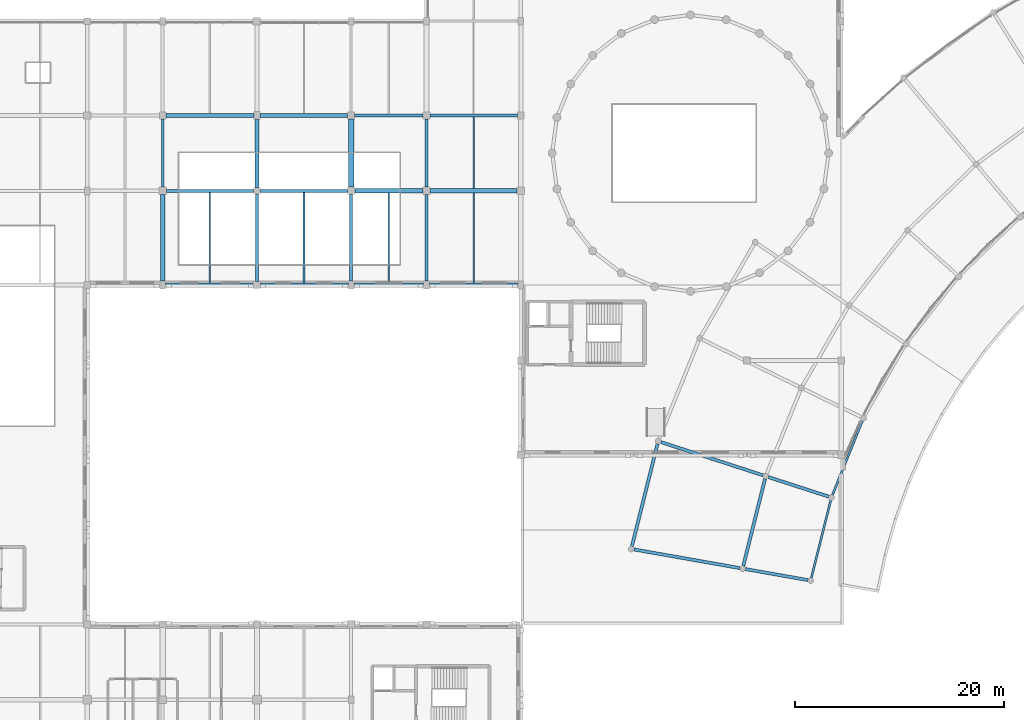
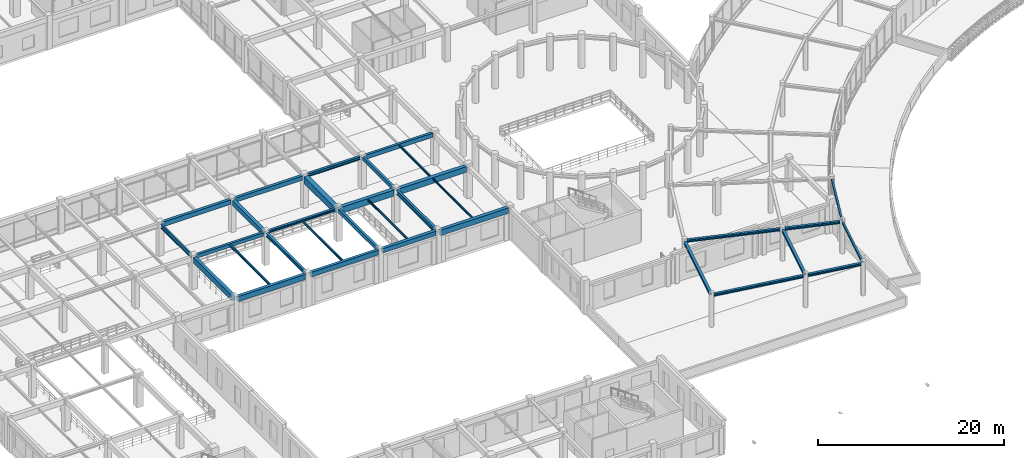
# One storey, part 5 of 62: 33 beams.
"""IFC4 building model written with IfcOpenShell, lengths in metres."""

import ifcopenshell
import ifcopenshell.guid

model = None  # the IFC model being written
_history = None  # IfcOwnerHistory: only IFC2X3 demands one
_inside = {}  # id of a spatial element -> (the spatial element, [elements in it])
_under = {}  # id of a project, library or spatial element -> (it, [spatial elements below it])
_declared = {}  # id of a project -> (the project, [libraries it declares])
_typed = {}  # id of a type object -> (the type object, [elements of that type])
_made_of = {}  # id of a material, layer set ... -> (it, [elements and type objects made of it])


def new_model(schema):
    """Start an empty IFC model of exactly this schema.

    Asked for "IFC4X3", IfcOpenShell would pick the latest addendum, in which some entities
    have other attributes; the version numbers below select the first issue.
    IFC2X3 requires an IfcOwnerHistory on every rooted entity: one is made here for all.
    """
    global model, _history
    if schema == "IFC4X3":
        model = ifcopenshell.file(schema_version=(4, 3, 0, 0))
    else:
        model = ifcopenshell.file(schema=schema)
    _inside.clear()
    _under.clear()
    _declared.clear()
    _typed.clear()
    _made_of.clear()
    _history = None
    if model.schema == "IFC2X3":
        org = make("IfcOrganization", Name="unknown")
        user = make(
            "IfcPersonAndOrganization",
            ThePerson=make("IfcPerson", FamilyName="unknown"),
            TheOrganization=org,
        )
        app = make(
            "IfcApplication",
            ApplicationDeveloper=org,
            Version="unknown",
            ApplicationFullName="unknown",
            ApplicationIdentifier="unknown",
        )
        _history = make(
            "IfcOwnerHistory",
            OwningUser=user,
            OwningApplication=app,
            ChangeAction="ADDED",
            CreationDate=0,
        )
    return model


def make(cls, **values):
    """One entity of the class cls with the attributes given. An attribute that is None is left unset."""
    return model.create_entity(
        cls, **{name: value for name, value in values.items() if value is not None}
    )


def rooted(cls, **values):
    """An entity with a GlobalId (a new one), such as an element, a storey or a relation."""
    return make(cls, GlobalId=ifcopenshell.guid.new(), OwnerHistory=_history, **values)


def si_unit(unit_type, name, prefix=None):
    """IfcSIUnit, for example si_unit("LENGTHUNIT", "METRE", prefix="MILLI")."""
    return make("IfcSIUnit", UnitType=unit_type, Prefix=prefix, Name=name)


def assignment(units):
    """IfcUnitAssignment: the units of a project."""
    return None if units is None else make("IfcUnitAssignment", Units=units)


def point(xyz):
    """IfcCartesianPoint."""
    return None if xyz is None else make("IfcCartesianPoint", Coordinates=xyz)


def direction(xyz):
    """IfcDirection."""
    return None if xyz is None else make("IfcDirection", DirectionRatios=xyz)


def frame(location, z_axis=None, x_axis=None):
    """IfcAxis2Placement3D, a coordinate frame: its origin and axes. An axis left out is left unset."""
    return make(
        "IfcAxis2Placement3D",
        Location=point(location),
        Axis=direction(z_axis),
        RefDirection=direction(x_axis),
    )


def frame_2d(location, x_axis=None):
    """IfcAxis2Placement2D, a coordinate frame in the plane: its origin and x axis."""
    return make(
        "IfcAxis2Placement2D", Location=point(location), RefDirection=direction(x_axis)
    )


def origin():
    """The frame at (0, 0, 0) with its axes left unset."""
    return frame((0.0, 0.0, 0.0))


def origin_2d():
    """The frame at (0, 0) in the plane with its x axis left unset."""
    return frame_2d((0.0, 0.0))


def place(relative_to, where):
    """IfcLocalPlacement: puts the frame where relative to a parent placement (None: the world)."""
    return make(
        "IfcLocalPlacement", PlacementRelTo=relative_to, RelativePlacement=where
    )


def context(
    kind, dimensions, precision=None, world=None, true_north=None, identifier=None
):
    """IfcGeometricRepresentationContext, for example the 3D "Model" context."""
    return make(
        "IfcGeometricRepresentationContext",
        ContextIdentifier=identifier,
        ContextType=kind,
        CoordinateSpaceDimension=dimensions,
        Precision=precision,
        WorldCoordinateSystem=world,
        TrueNorth=true_north,
    )


def subcontext(parent, identifier, kind, view, scale=None):
    """IfcGeometricRepresentationSubContext, for example "Body" below "Model"."""
    return make(
        "IfcGeometricRepresentationSubContext",
        ContextIdentifier=identifier,
        ContextType=kind,
        ParentContext=parent,
        TargetScale=scale,
        TargetView=view,
    )


def project(units=None, contexts=None):
    """IfcProject with its units and contexts."""
    return rooted(
        "IfcProject",
        Name="project",
        RepresentationContexts=contexts,
        UnitsInContext=assignment(units),
    )


def spatial(cls, under=None, at=None, **own):
    """A site, building, storey or space (cls), placed at a placement, below another one or the project."""
    s = rooted(cls, ObjectPlacement=at, **own)
    if under is not None:
        _under.setdefault(under.id(), (under, []))[1].append(s)
    return s


def profile(cls, at=None, kind="AREA", **sizes):
    """A parametric profile (cls). Its sizes go by their IFC names, for example OverallWidth=200.0."""
    return make(cls, ProfileType=kind, Position=at, **sizes)


def rectangle(**sizes):
    """IfcRectangleProfileDef."""
    return profile("IfcRectangleProfileDef", **sizes)


def hollow_rectangle(**sizes):
    """IfcRectangleHollowProfileDef."""
    return profile("IfcRectangleHollowProfileDef", **sizes)


def i_section(**sizes):
    """IfcIShapeProfileDef."""
    return profile("IfcIShapeProfileDef", **sizes)


def extrude(swept, where, along, depth):
    """IfcExtrudedAreaSolid: the profile swept, set in the frame where, extruded along a direction by depth."""
    return make(
        "IfcExtrudedAreaSolid",
        SweptArea=swept,
        Position=where,
        ExtrudedDirection=direction(along),
        Depth=depth,
    )


def shape(context_of_items, identifier, shape_type, items):
    """IfcShapeRepresentation: the items that make up one representation, for example the "Body"."""
    return make(
        "IfcShapeRepresentation",
        ContextOfItems=context_of_items,
        RepresentationIdentifier=identifier,
        RepresentationType=shape_type,
        Items=items,
    )


def material(Name=None, Category=None):
    """IfcMaterial."""
    return make("IfcMaterial", Name=Name, Category=Category)


def material_profile(
    of_material, cross_section, Name=None, Category=None, Priority=None
):
    """IfcMaterialProfile: a cross section and its material."""
    return make(
        "IfcMaterialProfile",
        Name=Name,
        Material=of_material,
        Profile=cross_section,
        Priority=Priority,
        Category=Category,
    )


def profile_set(profiles, Name=None, composite=None):
    """IfcMaterialProfileSet."""
    return make(
        "IfcMaterialProfileSet",
        Name=Name,
        MaterialProfiles=profiles,
        CompositeProfile=composite,
    )


def made_of(thing, what):
    """Note that an element or type object is made of a material, layer set ...; save() writes the relation."""
    if what is not None:
        _made_of.setdefault(what.id(), (what, []))[1].append(thing)
    return thing


def type_object(cls, material=None, **own):
    """A type object (cls), such as IfcWallType, which elements share."""
    return made_of(rooted(cls, **own), material)


def element(
    cls,
    number,
    at=None,
    inside=None,
    cuts=None,
    type_object=None,
    material=None,
    context=None,
    identifier="Body",
    shape_type=None,
    held_by="IfcProductDefinitionShape",
    body=None,
    shapes=None,
    **own,
):
    """One element of the class cls, such as IfcWall. Its Tag is "e" and its number.

    at: its placement. inside: the storey or other place that contains it. cuts: it is an
    opening in that element (IfcRelVoidsElement). A single representation is given by context,
    identifier, shape_type and body (its items); several are given by shapes. held_by: the class
    of the entity that holds the representations. save() writes the other relations.
    """
    e = rooted(cls, Tag="e%d" % number, ObjectPlacement=at, **own)
    if body is not None:
        shapes = [shape(context, identifier, shape_type, body)]
    if shapes is not None:
        e.Representation = make(held_by, Representations=shapes)
    if inside is not None:
        _inside.setdefault(inside.id(), (inside, []))[1].append(e)
    if cuts is not None:
        rooted(
            "IfcRelVoidsElement", RelatingBuildingElement=cuts, RelatedOpeningElement=e
        )
    if type_object is not None:
        _typed.setdefault(type_object.id(), (type_object, []))[1].append(e)
    return made_of(e, material)


def aggregate(whole, parts):
    """IfcRelAggregates: a whole, such as a stair, and the parts it consists of."""
    return rooted("IfcRelAggregates", RelatingObject=whole, RelatedObjects=parts)


def save(model, path):
    """Write the relations noted so far, then the file.

    IfcRelAggregates (storeys below a building ...), IfcRelContainedInSpatialStructure (elements
    in a storey), IfcRelDefinesByType, IfcRelAssociatesMaterial and IfcRelDeclares: one each for
    every whole, place, type object, material and project.
    """
    for whole, parts in _under.values():
        aggregate(whole, parts)
    for where, things in _inside.values():
        rooted(
            "IfcRelContainedInSpatialStructure",
            RelatedElements=things,
            RelatingStructure=where,
        )
    for kind, things in _typed.values():
        rooted("IfcRelDefinesByType", RelatedObjects=things, RelatingType=kind)
    for what, things in _made_of.values():
        rooted("IfcRelAssociatesMaterial", RelatedObjects=things, RelatingMaterial=what)
    for by, libraries in _declared.values():
        rooted("IfcRelDeclares", RelatingContext=by, RelatedDefinitions=libraries)
    model.write(path)


model = new_model("IFC4")

# Units and contexts
model_context = context("Model", 3, precision=1e-05, world=origin(), true_north=direction((0.0, 1.0)))
body_context = subcontext(model_context, "Body", "Model", "MODEL_VIEW")
ifc_project = project(units=[si_unit("LENGTHUNIT", "METRE"), si_unit("AREAUNIT", "SQUARE_METRE"), si_unit("VOLUMEUNIT", "CUBIC_METRE"), si_unit("PLANEANGLEUNIT", "RADIAN"), si_unit("MASSUNIT", "GRAM", prefix="KILO")], contexts=[model_context])

# Site, building, storey
site_placement = place(None, origin())
site = spatial("IfcSite", under=ifc_project, at=site_placement, CompositionType="ELEMENT")
building_placement = place(site_placement, origin())
building = spatial("IfcBuilding", under=site, at=building_placement, Name="Clarverna Civic Hall", CompositionType="ELEMENT")
storey_placement = place(building_placement, frame((0.0, 0.0, 5.10009765625)))
storey = spatial("IfcBuildingStorey", under=building, at=storey_placement, Name="L01", CompositionType="ELEMENT", Elevation=5.10009765625)

# Beams
ifc_material_1 = material(Name="Concrete C35/45", Category="concrete")
ifc_material_profile_1 = material_profile(ifc_material_1, rectangle(XDim=0.300048828125, YDim=0.550048828125, at=origin_2d()), Name="RC 300x550")
ifc_profile_set_1 = profile_set([ifc_material_profile_1], Name="Concrete C35/45")
beam_type_1 = type_object("IfcBeamType", Name="B-RC11", PredefinedType="BEAM", material=ifc_profile_set_1)
beam_1_placement = place(storey_placement, frame((57.925048828125, 62.60009765625, 3.90478515625), z_axis=(1.0, 0.0, 0.0), x_axis=(0.0, 1.0, 0.0)))
element("IfcBeam", 1, at=beam_1_placement, inside=storey, type_object=beam_type_1, Name="B-RC11-023", PredefinedType="BEAM", context=body_context, shape_type="SweptSolid", body=[
    extrude(rectangle(XDim=0.300048828125, YDim=0.550048828125, at=origin_2d()), origin(), (0.0, 0.0, 1.0), 8.349853515625),
])
ifc_material_profile_2 = material_profile(ifc_material_1, rectangle(XDim=0.300048828125, YDim=0.5, at=origin_2d()), Name="RC 300x500")
ifc_profile_set_2 = profile_set([ifc_material_profile_2], Name="Concrete C35/45")
beam_type_2 = type_object("IfcBeamType", Name="B-RC12", PredefinedType="BEAM", material=ifc_profile_set_2)
beam_2_placement = place(storey_placement, frame((50.39990234375, 46.77490234375, 4.010009765625), z_axis=(0.0, 1.0, 0.0), x_axis=(-1.0, 0.0, 0.0)))
element("IfcBeam", 2, at=beam_2_placement, inside=storey, type_object=beam_type_2, Name="B-RC12-035", PredefinedType="BEAM", context=body_context, shape_type="SweptSolid", body=[
    extrude(rectangle(XDim=0.300048828125, YDim=0.5, at=origin_2d()), origin(), (0.0, 0.0, 1.0), 8.275146484375),
])
ifc_material_profile_3 = material_profile(ifc_material_1, rectangle(XDim=0.550048828125, YDim=0.89990234375, at=origin_2d()), Name="RC 550x900")
ifc_profile_set_3 = profile_set([ifc_material_profile_3], Name="Concrete C35/45")
beam_type_3 = type_object("IfcBeamType", Name="B-RC13", PredefinedType="BEAM", material=ifc_profile_set_3)
beam_3_placement = place(storey_placement, frame((50.39990234375, 55.75, 3.77001953125), z_axis=(0.0, 1.0, 0.0), x_axis=(-1.0, 0.0, 0.0)))
element("IfcBeam", 3, at=beam_3_placement, inside=storey, type_object=beam_type_3, Name="B-RC13-024", PredefinedType="BEAM", context=body_context, shape_type="SweptSolid", body=[
    extrude(rectangle(XDim=0.550048828125, YDim=0.89990234375, at=origin_2d()), origin(), (0.0, 0.0, 1.0), 6.52490234375),
])
ifc_material_profile_4 = material_profile(ifc_material_1, rectangle(XDim=0.39990234375, YDim=0.75, at=origin_2d()), Name="RC 400x750")
ifc_profile_set_4 = profile_set([ifc_material_profile_4], Name="Concrete C35/45")
beam_type_4 = type_object("IfcBeamType", Name="B-RC16", PredefinedType="BEAM", material=ifc_profile_set_4)
beam_4_placement = place(storey_placement, frame((32.39990234375, 46.77490234375, 3.885009765625), z_axis=(0.0, 1.0, 0.0), x_axis=(-1.0, 0.0, 0.0)))
element("IfcBeam", 4, at=beam_4_placement, inside=storey, type_object=beam_type_4, Name="B-RC16-022", PredefinedType="BEAM", context=body_context, shape_type="SweptSolid", body=[
    extrude(rectangle(XDim=0.39990234375, YDim=0.75, at=origin_2d()), origin(), (0.0, 0.0, 1.0), 8.275146484375),
])
ifc_material_profile_5 = material_profile(ifc_material_1, rectangle(XDim=0.300048828125, YDim=0.449951171875, at=origin_2d()), Name="RC 300x450")
ifc_profile_set_5 = profile_set([ifc_material_profile_5], Name="Concrete C35/45")
beam_type_5 = type_object("IfcBeamType", Name="B-RC18", PredefinedType="BEAM", material=ifc_profile_set_5)
beam_5_placement = place(storey_placement, frame((32.75, 55.39990234375, 4.034912109375), z_axis=(1.0, 0.0, 0.0), x_axis=(0.0, 1.0, 0.0)))
element("IfcBeam", 5, at=beam_5_placement, inside=storey, type_object=beam_type_5, Name="B-RC18-023", PredefinedType="BEAM", context=body_context, shape_type="SweptSolid", body=[
    extrude(rectangle(XDim=0.300048828125, YDim=0.449951171875, at=origin_2d()), origin(), (0.0, 0.0, 1.0), 8.324951171875),
])
beam_6_placement = place(storey_placement, frame((57.60009765625, 55.75, 3.994873046875), z_axis=(0.0, 1.0, 0.0), x_axis=(-1.0, 0.0, 0.0)))
element("IfcBeam", 6, at=beam_6_placement, inside=storey, type_object=beam_type_5, Name="B-RC18-029", PredefinedType="BEAM", context=body_context, shape_type="SweptSolid", body=[
    extrude(rectangle(XDim=0.300048828125, YDim=0.449951171875, at=origin_2d()), origin(), (0.0, 0.0, 1.0), 6.52490234375),
])
ifc_material_profile_6 = material_profile(ifc_material_1, rectangle(XDim=0.449951171875, YDim=0.800048828125, at=origin_2d()), Name="RC 450x800")
ifc_profile_set_6 = profile_set([ifc_material_profile_6], Name="Concrete C35/45")
beam_type_6 = type_object("IfcBeamType", Name="B-RC2", PredefinedType="BEAM", material=ifc_profile_set_6)
beam_7_placement = place(storey_placement, frame((50.75, 55.39990234375, 3.85986328125), z_axis=(1.0, 0.0, 0.0), x_axis=(0.0, 1.0, 0.0)))
element("IfcBeam", 7, at=beam_7_placement, inside=storey, type_object=beam_type_6, Name="B-RC2-019", PredefinedType="BEAM", context=body_context, shape_type="SweptSolid", body=[
    extrude(rectangle(XDim=0.449951171875, YDim=0.800048828125, at=origin_2d()), origin(), (0.0, 0.0, 1.0), 6.5),
])
ifc_material_profile_7 = material_profile(ifc_material_1, rectangle(XDim=0.449951171875, YDim=0.75, at=origin_2d()), Name="RC 450x750")
ifc_profile_set_7 = profile_set([ifc_material_profile_7], Name="Concrete C35/45")
beam_type_7 = type_object("IfcBeamType", Name="B-RC3", PredefinedType="BEAM", material=ifc_profile_set_7)
beam_8_placement = place(storey_placement, frame((57.949951171875, 55.39990234375, 3.804931640625), z_axis=(1.0, 0.0, 0.0), x_axis=(0.0, 1.0, 0.0)))
element("IfcBeam", 8, at=beam_8_placement, inside=storey, type_object=beam_type_7, Name="B-RC3-022", PredefinedType="BEAM", context=body_context, shape_type="SweptSolid", body=[
    extrude(rectangle(XDim=0.449951171875, YDim=0.75, at=origin_2d()), origin(), (0.0, 0.0, 1.0), 8.300048828125),
])
ifc_material_profile_8 = material_profile(ifc_material_1, rectangle(XDim=0.39990234375, YDim=0.64990234375, at=origin_2d()), Name="RC 400x650")
ifc_profile_set_8 = profile_set([ifc_material_profile_8], Name="Concrete C35/45")
beam_type_8 = type_object("IfcBeamType", Name="B-RC6", PredefinedType="BEAM", material=ifc_profile_set_8)
beam_9_placement = place(storey_placement, frame((41.39990234375, 55.72509765625, 3.89501953125), z_axis=(0.0, 1.0, 0.0), x_axis=(-1.0, 0.0, 0.0)))
element("IfcBeam", 9, at=beam_9_placement, inside=storey, type_object=beam_type_8, Name="B-RC6-032", PredefinedType="BEAM", context=body_context, shape_type="SweptSolid", body=[
    extrude(rectangle(XDim=0.39990234375, YDim=0.64990234375, at=origin_2d()), origin(), (0.0, 0.0, 1.0), 6.5),
])
ifc_material_profile_9 = material_profile(ifc_material_1, rectangle(XDim=0.35009765625, YDim=0.60009765625, at=origin_2d()), Name="RC 350x600")
ifc_profile_set_9 = profile_set([ifc_material_profile_9], Name="Concrete C35/45")
beam_type_9 = type_object("IfcBeamType", Name="B-RC8", PredefinedType="BEAM", material=ifc_profile_set_9)
beam_10_placement = place(storey_placement, frame((32.72509765625, 62.60009765625, 3.919921875), z_axis=(1.0, 0.0, 0.0), x_axis=(0.0, 1.0, 0.0)))
element("IfcBeam", 10, at=beam_10_placement, inside=storey, type_object=beam_type_9, Name="B-RC8-022", PredefinedType="BEAM", context=body_context, shape_type="SweptSolid", body=[
    extrude(rectangle(XDim=0.35009765625, YDim=0.60009765625, at=origin_2d()), origin(), (0.0, 0.0, 1.0), 8.39990234375),
])
ifc_material_profile_10 = material_profile(ifc_material_1, rectangle(XDim=0.35009765625, YDim=0.550048828125, at=origin_2d()), Name="RC 350x550")
ifc_profile_set_10 = profile_set([ifc_material_profile_10], Name="Concrete C35/45")
beam_type_10 = type_object("IfcBeamType", Name="B-RC9", PredefinedType="BEAM", material=ifc_profile_set_10)
beam_11_placement = place(storey_placement, frame((41.675048828125, 62.60009765625, 3.94482421875), z_axis=(1.0, 0.0, 0.0), x_axis=(0.0, 1.0, 0.0)))
element("IfcBeam", 11, at=beam_11_placement, inside=storey, type_object=beam_type_10, Name="B-RC9-025", PredefinedType="BEAM", context=body_context, shape_type="SweptSolid", body=[
    extrude(rectangle(XDim=0.35009765625, YDim=0.550048828125, at=origin_2d()), origin(), (0.0, 0.0, 1.0), 8.39990234375),
])
ifc_material_profile_11 = material_profile(ifc_material_1, rectangle(XDim=0.419921875, YDim=0.719970703125, at=origin_2d()), Name="RC 420x720")
ifc_profile_set_11 = profile_set([ifc_material_profile_11], Name="Concrete C35/45")
beam_type_11 = type_object("IfcBeamType", Name="B-SP1", PredefinedType="SPANDREL", material=ifc_profile_set_11)
beam_12_placement = place(storey_placement, frame((57.875, 46.39990234375, 3.81982421875), z_axis=(1.0, 0.0, 0.0), x_axis=(0.0, 1.0, 0.0)))
element("IfcBeam", 12, at=beam_12_placement, inside=storey, type_object=beam_type_11, Name="B-SP1-061", PredefinedType="SPANDREL", context=body_context, shape_type="SweptSolid", body=[
    extrude(rectangle(XDim=0.419921875, YDim=0.719970703125, at=origin_2d()), origin(), (0.0, 0.0, 1.0), 8.449951171875),
])
ifc_material_profile_12 = material_profile(ifc_material_1, rectangle(XDim=0.3798828125, YDim=0.679931640625, at=origin_2d()), Name="RC 380x680")
ifc_profile_set_12 = profile_set([ifc_material_profile_12], Name="Concrete C35/45")
beam_type_12 = type_object("IfcBeamType", Name="B-SP2", PredefinedType="SPANDREL", material=ifc_profile_set_12)
beam_13_placement = place(storey_placement, frame((32.675048828125, 46.39990234375, 3.919921875), z_axis=(1.0, 0.0, 0.0), x_axis=(0.0, 1.0, 0.0)))
element("IfcBeam", 13, at=beam_13_placement, inside=storey, type_object=beam_type_12, Name="B-SP2-059", PredefinedType="SPANDREL", context=body_context, shape_type="SweptSolid", body=[
    extrude(rectangle(XDim=0.3798828125, YDim=0.679931640625, at=origin_2d()), origin(), (0.0, 0.0, 1.0), 8.375),
])
ifc_material_profile_13 = material_profile(ifc_material_1, rectangle(XDim=0.360107421875, YDim=0.6201171875, at=origin_2d()), Name="RC 360x620")
ifc_profile_set_13 = profile_set([ifc_material_profile_13], Name="Concrete C35/45")
beam_type_13 = type_object("IfcBeamType", Name="B-SP3", PredefinedType="SPANDREL", material=ifc_profile_set_13)
beam_14_placement = place(storey_placement, frame((41.75, 46.39990234375, 3.949951171875), z_axis=(1.0, 0.0, 0.0), x_axis=(0.0, 1.0, 0.0)))
element("IfcBeam", 14, at=beam_14_placement, inside=storey, type_object=beam_type_13, Name="B-SP3-060", PredefinedType="SPANDREL", context=body_context, shape_type="SweptSolid", body=[
    extrude(rectangle(XDim=0.360107421875, YDim=0.6201171875, at=origin_2d()), origin(), (0.0, 0.0, 1.0), 8.375),
])
ifc_material_profile_14 = material_profile(ifc_material_1, rectangle(XDim=0.39990234375, YDim=0.56005859375, at=origin_2d()), Name="RC 400x560")
ifc_profile_set_14 = profile_set([ifc_material_profile_14], Name="Concrete C35/45")
beam_type_14 = type_object("IfcBeamType", Name="B-SP4", PredefinedType="SPANDREL", material=ifc_profile_set_14)
beam_15_placement = place(storey_placement, frame((50.675048828125, 46.39990234375, 3.97998046875), z_axis=(1.0, 0.0, 0.0), x_axis=(0.0, 1.0, 0.0)))
element("IfcBeam", 15, at=beam_15_placement, inside=storey, type_object=beam_type_14, Name="B-SP4-056", PredefinedType="SPANDREL", context=body_context, shape_type="SweptSolid", body=[
    extrude(rectangle(XDim=0.39990234375, YDim=0.56005859375, at=origin_2d()), origin(), (0.0, 0.0, 1.0), 6.64990234375),
])
ifc_material_2 = material(Name="Steel S355", Category="steel")
ifc_material_profile_15 = material_profile(ifc_material_2, i_section(OverallWidth=0.300048828125, OverallDepth=0.60009765625, WebThickness=0.015380859375, FlangeThickness=0.030029296875, FilletRadius=0.027099609375, at=origin_2d()), Name="HEB 600")
ifc_profile_set_15 = profile_set([ifc_material_profile_15], Name="Steel S355")
beam_type_15 = type_object("IfcBeamType", Name="B-ST1", PredefinedType="BEAM", material=ifc_profile_set_15)
beam_16_placement = place(storey_placement, frame((57.60009765625, 46.77490234375, 3.9599609375), z_axis=(0.0, 1.0, 0.0), x_axis=(-1.0, 0.0, 0.0)))
element("IfcBeam", 16, at=beam_16_placement, inside=storey, type_object=beam_type_15, Name="B-ST1-008", PredefinedType="BEAM", context=body_context, shape_type="SweptSolid", body=[
    extrude(i_section(OverallWidth=0.300048828125, OverallDepth=0.60009765625, WebThickness=0.015380859375, FlangeThickness=0.030029296875, FilletRadius=0.027099609375, at=origin_2d()), origin(), (0.0, 0.0, 1.0), 8.275146484375),
])
ifc_material_profile_16 = material_profile(ifc_material_2, i_section(OverallWidth=0.2099609375, OverallDepth=0.550048828125, WebThickness=0.010986328125, FlangeThickness=0.01708984375, FilletRadius=0.02392578125, at=origin_2d()), Name="IPE 550")
ifc_profile_set_16 = profile_set([ifc_material_profile_16], Name="Steel S355")
beam_type_16 = type_object("IfcBeamType", Name="B-ST11", PredefinedType="BEAM", material=ifc_profile_set_16)
beam_17_placement = place(storey_placement, frame((32.39990234375, 55.75, 3.94482421875), z_axis=(0.0, 1.0, 0.0), x_axis=(-1.0, 0.0, 0.0)))
element("IfcBeam", 17, at=beam_17_placement, inside=storey, type_object=beam_type_16, Name="B-ST11-008", PredefinedType="BEAM", context=body_context, shape_type="SweptSolid", body=[
    extrude(i_section(OverallWidth=0.2099609375, OverallDepth=0.550048828125, WebThickness=0.010986328125, FlangeThickness=0.01708984375, FilletRadius=0.02392578125, at=origin_2d()), origin(), (0.0, 0.0, 1.0), 6.52490234375),
])
ifc_material_profile_17 = material_profile(ifc_material_2, hollow_rectangle(XDim=0.199951171875, YDim=0.300048828125, WallThickness=0.010009765625, at=origin_2d()), Name="RHS 300x200x10.0")
ifc_profile_set_17 = profile_set([ifc_material_profile_17], Name="Steel S355")
beam_type_17 = type_object("IfcBeamType", Name="B-ST15", PredefinedType="SPANDREL", material=ifc_profile_set_17)
for number, where, z_axis, x_axis, name in (
    (18, (99.2333984375, 33.447509765625, 4.06982421875), (-0.374627032937, -0.927175596202, 0.0), (0.927175596202, -0.374627032937, 0.0), "B-ST15-017"),
    (19, (96.205078125, 25.856201171875, 4.06982421875), (-0.241890255564, -0.970303614475, 0.0), (0.970303614475, -0.241890255564, 0.0), "B-ST15-018"),
):
    element("IfcBeam", number, at=place(storey_placement, frame(where, z_axis=z_axis, x_axis=x_axis)), inside=storey, type_object=beam_type_17, Name=name, PredefinedType="SPANDREL", context=body_context, shape_type="SweptSolid", body=[
        extrude(hollow_rectangle(XDim=0.199951171875, YDim=0.300048828125, WallThickness=0.010009765625, at=origin_2d()), origin(), (0.0, 0.0, 1.0), 7.655517578125),
    ])
ifc_material_profile_18 = material_profile(ifc_material_2, i_section(OverallWidth=0.300048828125, OverallDepth=0.449951171875, WebThickness=0.013916015625, FlangeThickness=0.02587890625, FilletRadius=0.027099609375, at=origin_2d()), Name="HEB 450")
ifc_profile_set_18 = profile_set([ifc_material_profile_18], Name="Steel S355")
beam_type_18 = type_object("IfcBeamType", Name="B-ST3", PredefinedType="BEAM", material=ifc_profile_set_18)
beam_18_placement = place(storey_placement, frame((41.39990234375, 46.75, 4.034912109375), z_axis=(0.0, 1.0, 0.0), x_axis=(-1.0, 0.0, 0.0)))
element("IfcBeam", 20, at=beam_18_placement, inside=storey, type_object=beam_type_18, Name="B-ST3-006", PredefinedType="BEAM", context=body_context, shape_type="SweptSolid", body=[
    extrude(i_section(OverallWidth=0.300048828125, OverallDepth=0.449951171875, WebThickness=0.013916015625, FlangeThickness=0.02587890625, FilletRadius=0.027099609375, at=origin_2d()), origin(), (0.0, 0.0, 1.0), 8.324951171875),
])
ifc_material_profile_19 = material_profile(ifc_material_2, i_section(OverallWidth=0.300048828125, OverallDepth=0.39990234375, WebThickness=0.013427734375, FlangeThickness=0.02392578125, FilletRadius=0.027099609375, at=origin_2d()), Name="HEB 400")
ifc_profile_set_19 = profile_set([ifc_material_profile_19], Name="Steel S355")
beam_type_19 = type_object("IfcBeamType", Name="B-ST4", PredefinedType="BEAM", material=ifc_profile_set_19)
beam_19_placement = place(storey_placement, frame((50.72509765625, 62.60009765625, 4.02001953125), z_axis=(1.0, 0.0, 0.0), x_axis=(0.0, 1.0, 0.0)))
element("IfcBeam", 21, at=beam_19_placement, inside=storey, type_object=beam_type_19, Name="B-ST4-006", PredefinedType="BEAM", context=body_context, shape_type="SweptSolid", body=[
    extrude(i_section(OverallWidth=0.300048828125, OverallDepth=0.39990234375, WebThickness=0.013427734375, FlangeThickness=0.02392578125, FilletRadius=0.027099609375, at=origin_2d()), origin(), (0.0, 0.0, 1.0), 6.5498046875),
])
ifc_material_profile_20 = material_profile(ifc_material_2, i_section(OverallWidth=0.300048828125, OverallDepth=0.330078125, WebThickness=0.009521484375, FlangeThickness=0.0166015625, FilletRadius=0.027099609375, at=origin_2d()), Name="HEA 340")
ifc_profile_set_20 = profile_set([ifc_material_profile_20], Name="Steel S355")
beam_type_20 = type_object("IfcBeamType", Name="B-ST8", PredefinedType="BEAM", material=ifc_profile_set_20)
beam_20_placement = place(storey_placement, frame((89.92822265625, 27.8955078125, 4.054931640625), z_axis=(-0.241919332047, -0.970296365438, 0.0), x_axis=(0.970296365438, -0.241919332047, 0.0)))
element("IfcBeam", 22, at=beam_20_placement, inside=storey, type_object=beam_type_20, Name="B-ST8-066", PredefinedType="BEAM", context=body_context, shape_type="SweptSolid", body=[
    extrude(i_section(OverallWidth=0.300048828125, OverallDepth=0.330078125, WebThickness=0.009521484375, FlangeThickness=0.0166015625, FilletRadius=0.027099609375, at=origin_2d()), origin(), (0.0, 0.0, 1.0), 8.575927734375),
])
beam_21_placement = place(storey_placement, frame((79.65673828125, 31.23291015625, 4.054931640625), z_axis=(-0.241920260395, -0.970296133977, 0.0), x_axis=(0.970296133977, -0.241920260395, 0.0)))
element("IfcBeam", 23, at=beam_21_placement, inside=storey, type_object=beam_type_20, Name="B-ST8-073", PredefinedType="BEAM", context=body_context, shape_type="SweptSolid", body=[
    extrude(i_section(OverallWidth=0.300048828125, OverallDepth=0.330078125, WebThickness=0.009521484375, FlangeThickness=0.0166015625, FilletRadius=0.027099609375, at=origin_2d()), origin(), (0.0, 0.0, 1.0), 10.082763671875),
])
ifc_material_profile_21 = material_profile(ifc_material_2, i_section(OverallWidth=0.300048828125, OverallDepth=0.31005859375, WebThickness=0.009033203125, FlangeThickness=0.015380859375, FilletRadius=0.027099609375, at=origin_2d()), Name="HEA 320")
ifc_profile_set_21 = profile_set([ifc_material_profile_21], Name="Steel S355")
beam_type_21 = type_object("IfcBeamType", Name="B-ST9", PredefinedType="BEAM", material=ifc_profile_set_21)
beam_22_placement = place(storey_placement, frame((41.72509765625, 55.39990234375, 4.10498046875), z_axis=(1.0, 0.0, 0.0), x_axis=(0.0, 1.0, 0.0)))
element("IfcBeam", 24, at=beam_22_placement, inside=storey, type_object=beam_type_21, Name="B-ST9-051", PredefinedType="BEAM", context=body_context, shape_type="SweptSolid", body=[
    extrude(i_section(OverallWidth=0.300048828125, OverallDepth=0.31005859375, WebThickness=0.009033203125, FlangeThickness=0.015380859375, FilletRadius=0.027099609375, at=origin_2d()), origin(), (0.0, 0.0, 1.0), 8.324951171875),
])
beam_23_placement = place(storey_placement, frame((96.020751953125, 26.188720703125, 4.06494140625), z_axis=(-0.951053247417, 0.309027054766, 0.0), x_axis=(-0.309027054766, -0.951053247417, 0.0)))
element("IfcBeam", 25, at=beam_23_placement, inside=storey, type_object=beam_type_21, Name="B-ST9-071", PredefinedType="BEAM", context=body_context, shape_type="SweptSolid", body=[
    extrude(i_section(OverallWidth=0.300048828125, OverallDepth=0.31005859375, WebThickness=0.009033203125, FlangeThickness=0.015380859375, FilletRadius=0.027099609375, at=origin_2d()), origin(), (0.0, 0.0, 1.0), 6.080078125),
])
beam_24_placement = place(storey_placement, frame((89.743896484375, 28.228271484375, 4.06494140625), z_axis=(-0.951054660769, 0.309022705038, 0.0), x_axis=(-0.309022705038, -0.951054660769, 0.0)))
element("IfcBeam", 26, at=beam_24_placement, inside=storey, type_object=beam_type_21, Name="B-ST9-072", PredefinedType="BEAM", context=body_context, shape_type="SweptSolid", body=[
    extrude(i_section(OverallWidth=0.300048828125, OverallDepth=0.31005859375, WebThickness=0.009033203125, FlangeThickness=0.015380859375, FilletRadius=0.027099609375, at=origin_2d()), origin(), (0.0, 0.0, 1.0), 10.280029296875),
])
beam_25_placement = place(storey_placement, frame((94.0341796875, 18.220947265625, 4.06494140625), z_axis=(-0.984804975523, 0.173663928857, 0.0), x_axis=(-0.173663928857, -0.984804975523, 0.0)))
element("IfcBeam", 27, at=beam_25_placement, inside=storey, type_object=beam_type_21, Name="B-ST9-073", PredefinedType="BEAM", context=body_context, shape_type="SweptSolid", body=[
    extrude(i_section(OverallWidth=0.300048828125, OverallDepth=0.31005859375, WebThickness=0.009033203125, FlangeThickness=0.015380859375, FilletRadius=0.027099609375, at=origin_2d()), origin(), (0.0, 0.0, 1.0), 6.080078125),
])
beam_26_placement = place(storey_placement, frame((87.534423828125, 19.366943359375, 4.06494140625), z_axis=(-0.984806741351, 0.173653914987, 0.0), x_axis=(-0.173653914987, -0.984806741351, 0.0)))
element("IfcBeam", 28, at=beam_26_placement, inside=storey, type_object=beam_type_21, Name="B-ST9-074", PredefinedType="BEAM", context=body_context, shape_type="SweptSolid", body=[
    extrude(i_section(OverallWidth=0.300048828125, OverallDepth=0.31005859375, WebThickness=0.009033203125, FlangeThickness=0.015380859375, FilletRadius=0.027099609375, at=origin_2d()), origin(), (0.0, 0.0, 1.0), 10.280029296875),
])
ifc_material_profile_22 = material_profile(ifc_material_2, i_section(OverallWidth=0.159912109375, OverallDepth=0.330078125, WebThickness=0.007568359375, FlangeThickness=0.011474609375, FilletRadius=0.01806640625, at=origin_2d()), Name="IPE 330")
ifc_profile_set_22 = profile_set([ifc_material_profile_22], Name="Steel S355")
beam_type_22 = type_object("IfcBeamType", Name="J-ST2", PredefinedType="JOIST", material=ifc_profile_set_22)
beam_27_placement = place(storey_placement, frame((36.89990234375, 46.590087890625, 4.094970703125), z_axis=(0.0, 1.0, 0.0), x_axis=(-1.0, 0.0, 0.0)))
element("IfcBeam", 29, at=beam_27_placement, inside=storey, type_object=beam_type_22, Name="J-ST2-038", PredefinedType="JOIST", context=body_context, shape_type="SweptSolid", body=[
    extrude(i_section(OverallWidth=0.159912109375, OverallDepth=0.330078125, WebThickness=0.007568359375, FlangeThickness=0.011474609375, FilletRadius=0.01806640625, at=origin_2d()), origin(), (0.0, 0.0, 1.0), 8.659912109375),
])
ifc_material_profile_23 = material_profile(ifc_material_2, i_section(OverallWidth=0.14990234375, OverallDepth=0.300048828125, WebThickness=0.007080078125, FlangeThickness=0.0107421875, FilletRadius=0.014892578125, at=origin_2d()), Name="IPE 300")
ifc_profile_set_23 = profile_set([ifc_material_profile_23], Name="Steel S355")
beam_type_23 = type_object("IfcBeamType", Name="J-ST3", PredefinedType="JOIST", material=ifc_profile_set_23)
beam_28_placement = place(storey_placement, frame((45.89990234375, 46.580078125, 4.10986328125), z_axis=(0.0, 1.0, 0.0), x_axis=(-1.0, 0.0, 0.0)))
element("IfcBeam", 30, at=beam_28_placement, inside=storey, type_object=beam_type_23, Name="J-ST3-038", PredefinedType="JOIST", context=body_context, shape_type="SweptSolid", body=[
    extrude(i_section(OverallWidth=0.14990234375, OverallDepth=0.300048828125, WebThickness=0.007080078125, FlangeThickness=0.0107421875, FilletRadius=0.014892578125, at=origin_2d()), origin(), (0.0, 0.0, 1.0), 8.669921875),
])
ifc_material_profile_24 = material_profile(ifc_material_2, i_section(OverallWidth=0.135009765625, OverallDepth=0.27001953125, WebThickness=0.006591796875, FlangeThickness=0.01025390625, FilletRadius=0.014892578125, at=origin_2d()), Name="IPE 270")
ifc_profile_set_24 = profile_set([ifc_material_profile_24], Name="Steel S355")
beam_type_24 = type_object("IfcBeamType", Name="J-ST4", PredefinedType="JOIST", material=ifc_profile_set_24)
beam_29_placement = place(storey_placement, frame((54.0, 46.60009765625, 4.125), z_axis=(0.0, 1.0, 0.0), x_axis=(-1.0, 0.0, 0.0)))
element("IfcBeam", 31, at=beam_29_placement, inside=storey, type_object=beam_type_24, Name="J-ST4-040", PredefinedType="JOIST", context=body_context, shape_type="SweptSolid", body=[
    extrude(i_section(OverallWidth=0.135009765625, OverallDepth=0.27001953125, WebThickness=0.006591796875, FlangeThickness=0.01025390625, FilletRadius=0.014892578125, at=origin_2d()), origin(), (0.0, 0.0, 1.0), 8.574951171875),
])
beam_30_placement = place(storey_placement, frame((62.10009765625, 55.625, 4.044921875), z_axis=(0.0, 1.0, 0.0), x_axis=(-1.0, 0.0, 0.0)))
element("IfcBeam", 32, at=beam_30_placement, inside=storey, type_object=beam_type_24, Name="J-ST4-041", PredefinedType="JOIST", context=body_context, shape_type="SweptSolid", body=[
    extrude(i_section(OverallWidth=0.135009765625, OverallDepth=0.27001953125, WebThickness=0.006591796875, FlangeThickness=0.01025390625, FilletRadius=0.014892578125, at=origin_2d()), origin(), (0.0, 0.0, 1.0), 6.824951171875),
])
ifc_material_profile_25 = material_profile(ifc_material_2, i_section(OverallWidth=0.1201171875, OverallDepth=0.239990234375, WebThickness=0.006103515625, FlangeThickness=0.009765625, FilletRadius=0.014892578125, at=origin_2d()), Name="IPE 240")
ifc_profile_set_25 = profile_set([ifc_material_profile_25], Name="Steel S355")
beam_type_25 = type_object("IfcBeamType", Name="J-ST5", PredefinedType="JOIST", material=ifc_profile_set_25)
beam_31_placement = place(storey_placement, frame((62.10009765625, 46.610107421875, 4.059814453125), z_axis=(0.0, 1.0, 0.0), x_axis=(-1.0, 0.0, 0.0)))
element("IfcBeam", 33, at=beam_31_placement, inside=storey, type_object=beam_type_25, Name="J-ST5-038", PredefinedType="JOIST", context=body_context, shape_type="SweptSolid", body=[
    extrude(i_section(OverallWidth=0.1201171875, OverallDepth=0.239990234375, WebThickness=0.006103515625, FlangeThickness=0.009765625, FilletRadius=0.014892578125, at=origin_2d()), origin(), (0.0, 0.0, 1.0), 8.56494140625),
])

save(model, "model.ifc")
